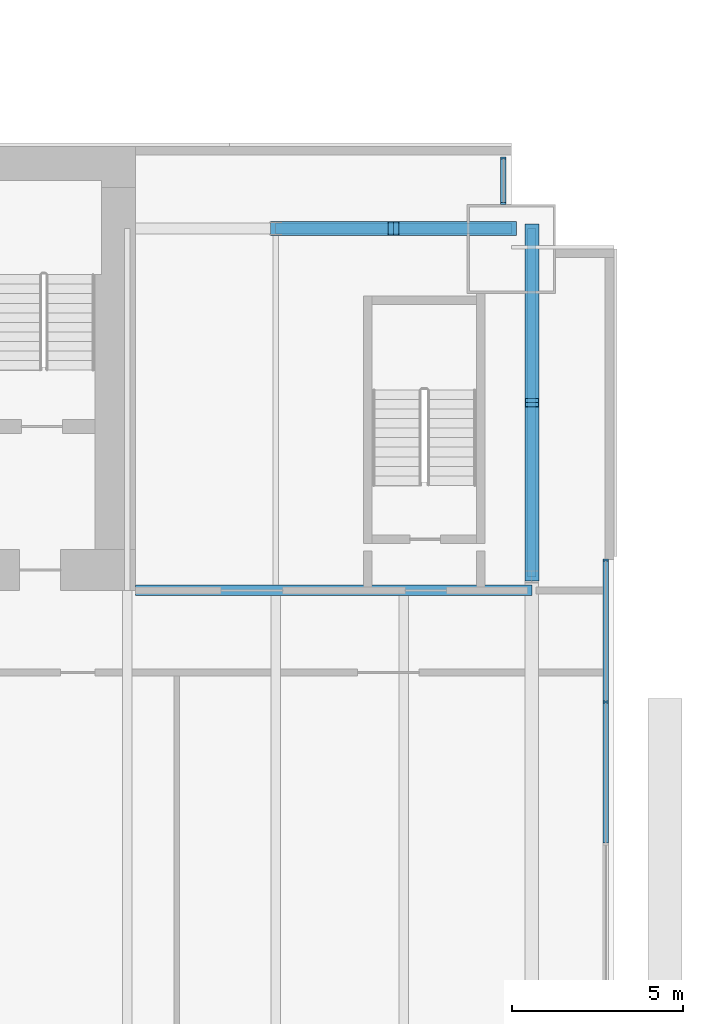
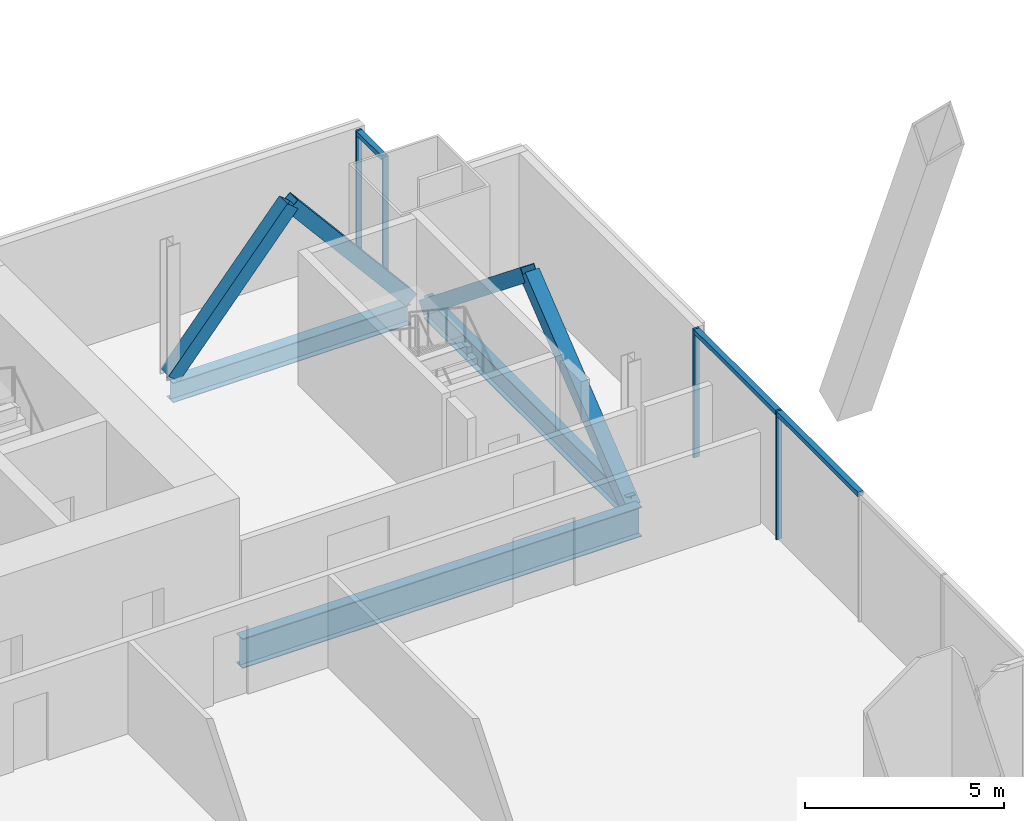
# One storey, part 16 of 24: 11 members, 3 beams, 2 elements without a shape of their own.
"""IFC4 building model written with IfcOpenShell, lengths in metres."""

from ifc_helpers import new_model, si_unit, direction, frame, origin, origin_2d, place, context, subcontext, project, spatial, rectangle, hollow_rectangle, i_section, extrude, material, material_profile, profile_set, type_object, element, aggregate, save


model = new_model("IFC4")

# Units and contexts
model_context = context("Model", 3, precision=1e-05, world=origin(), true_north=direction((0.0, 1.0)))
body_context = subcontext(model_context, "Body", "Model", "MODEL_VIEW")
ifc_project = project(units=[si_unit("LENGTHUNIT", "METRE"), si_unit("AREAUNIT", "SQUARE_METRE"), si_unit("VOLUMEUNIT", "CUBIC_METRE"), si_unit("PLANEANGLEUNIT", "RADIAN"), si_unit("MASSUNIT", "GRAM", prefix="KILO")], contexts=[model_context])

# Site, building, storey
site_placement = place(None, origin())
site = spatial("IfcSite", under=ifc_project, at=site_placement, CompositionType="ELEMENT")
building_placement = place(site_placement, origin())
building = spatial("IfcBuilding", under=site, at=building_placement, Name="Bicima Exchange Tower", CompositionType="ELEMENT")
storey_placement = place(building_placement, frame((0.0, 0.0, 211.39990234375)))
storey = spatial("IfcBuildingStorey", under=building, at=storey_placement, Name="L47", CompositionType="ELEMENT", Elevation=211.39990234375)

# Beam
ifc_material_1 = material(Name="Steel ASTM A992 Gr 50", Category="steel")
ifc_material_profile_1 = material_profile(ifc_material_1, i_section(OverallWidth=0.3046875, OverallDepth=0.911865234375, WebThickness=0.015869140625, FlangeThickness=0.02392578125, at=origin_2d()))
ifc_profile_set_1 = profile_set([ifc_material_profile_1], Name="Steel ASTM A992 Gr 50")
beam_type_1 = type_object("IfcBeamType", Name="Core-line girder W36x150", PredefinedType="BEAM", material=ifc_profile_set_1)
beam_1_placement = place(storey_placement, frame((22.0, -13.0, -0.605712890625), z_axis=(1.0, 0.0, 0.0), x_axis=(0.0, 1.0, 0.0)))
element("IfcBeam", 1, at=beam_1_placement, inside=storey, type_object=beam_type_1, Name="Core-line girder", PredefinedType="BEAM", context=body_context, shape_type="SweptSolid", body=[
    extrude(i_section(OverallWidth=0.3046875, OverallDepth=0.911865234375, WebThickness=0.015869140625, FlangeThickness=0.02392578125, at=origin_2d()), origin(), (0.0, 0.0, 1.0), 11.60009765625),
])

# Curtain wall, members
ifc_material_2 = material(Name="Anodised bronze aluminium", Category="aluminium")
curtain_wall_type_1 = type_object("IfcCurtainWallType", Name="End face glass wall", PredefinedType="NOTDEFINED", material=ifc_material_2)
curtain_wall_1_placement = place(storey_placement, origin())
curtain_wall_1 = element("IfcCurtainWall", 2, at=curtain_wall_1_placement, inside=storey, type_object=curtain_wall_type_1, Name="End face glass wall L47 run 19", PredefinedType="NOTDEFINED")
ifc_material_profile_2 = material_profile(ifc_material_2, rectangle(XDim=0.159912109375, YDim=0.06005859375, at=origin_2d()))
ifc_profile_set_2 = profile_set([ifc_material_profile_2], Name="Anodised bronze aluminium")
member_type_1 = type_object("IfcMemberType", Name="End face glass wall mullion 60 x 160", PredefinedType="MULLION", material=ifc_profile_set_2)
member_1_placement = place(storey_placement, frame((35.77001953125, -16.2666015625, 0.0), z_axis=(0.0, 0.0, 1.0), x_axis=(-1.0, 0.0, 0.0)))
member_1 = element("IfcMember", 3, at=member_1_placement, type_object=member_type_1, Name="End face glass wall mullion 4", PredefinedType="MULLION", context=body_context, shape_type="SweptSolid", body=[
    extrude(rectangle(XDim=0.159912109375, YDim=0.06005859375, at=origin_2d()), origin(), (0.0, 0.0, 1.0), 3.9501953125),
])
member_2_placement = place(storey_placement, frame((35.77001953125, -12.110107421875, 0.0), z_axis=(0.0, 0.0, 1.0), x_axis=(-1.0, 0.0, 0.0)))
member_2 = element("IfcMember", 4, at=member_2_placement, type_object=member_type_1, Name="End face glass wall mullion 5", PredefinedType="MULLION", context=body_context, shape_type="SweptSolid", body=[
    extrude(rectangle(XDim=0.159912109375, YDim=0.06005859375, at=origin_2d()), origin(), (0.0, 0.0, 1.0), 3.9501953125),
])
ifc_material_profile_3 = material_profile(ifc_material_2, rectangle(XDim=0.159912109375, YDim=0.139892578125, at=origin_2d()))
ifc_profile_set_3 = profile_set([ifc_material_profile_3], Name="Anodised bronze aluminium")
member_type_2 = type_object("IfcMemberType", Name="End face glass wall transom 140 x 160", PredefinedType="USERDEFINED", material=ifc_profile_set_3)
member_3_placement = place(storey_placement, frame((35.77001953125, -20.39306640625, 3.880126953125), z_axis=(0.0, 1.0, 0.0), x_axis=(-1.0, 0.0, 0.0)))
member_3 = element("IfcMember", 5, at=member_3_placement, type_object=member_type_2, Name="End face glass wall transom 3.1", ObjectType="TRANSOM", PredefinedType="USERDEFINED", context=body_context, shape_type="SweptSolid", body=[
    extrude(rectangle(XDim=0.159912109375, YDim=0.139892578125, at=origin_2d()), origin(), (0.0, 0.0, 1.0), 4.0966796875),
])
member_4_placement = place(storey_placement, frame((35.77001953125, -16.236572265625, 3.880126953125), z_axis=(0.0, 1.0, 0.0), x_axis=(-1.0, 0.0, 0.0)))
member_4 = element("IfcMember", 6, at=member_4_placement, type_object=member_type_2, Name="End face glass wall transom 4.1", ObjectType="TRANSOM", PredefinedType="USERDEFINED", context=body_context, shape_type="SweptSolid", body=[
    extrude(rectangle(XDim=0.159912109375, YDim=0.139892578125, at=origin_2d()), origin(), (0.0, 0.0, 1.0), 4.0966796875),
])
aggregate(curtain_wall_1, [member_1, member_2, member_3, member_4])

# Beam
ifc_material_profile_4 = material_profile(ifc_material_1, i_section(OverallWidth=0.256591796875, OverallDepth=0.693359375, WebThickness=0.014404296875, FlangeThickness=0.023681640625, at=origin_2d()))
ifc_profile_set_4 = profile_set([ifc_material_profile_4], Name="Steel ASTM A992 Gr 50")
beam_type_2 = type_object("IfcBeamType", Name="End girder W27x114", PredefinedType="BEAM", material=ifc_profile_set_4)
beam_2_placement = place(storey_placement, frame((33.60009765625, -2.39990234375, -0.49658203125), z_axis=(0.0, -1.0, 0.0), x_axis=(1.0, 0.0, 0.0)))
element("IfcBeam", 7, at=beam_2_placement, inside=storey, type_object=beam_type_2, Name="End girder", PredefinedType="BEAM", context=body_context, shape_type="SweptSolid", body=[
    extrude(i_section(OverallWidth=0.256591796875, OverallDepth=0.693359375, WebThickness=0.014404296875, FlangeThickness=0.023681640625, at=origin_2d()), origin(), (0.0, 0.0, 1.0), 10.2001953125),
])

# Curtain wall, members
curtain_wall_type_2 = type_object("IfcCurtainWallType", Name="Front glass wall", PredefinedType="NOTDEFINED", material=ifc_material_2)
curtain_wall_2_placement = place(storey_placement, origin())
curtain_wall_2 = element("IfcCurtainWall", 8, at=curtain_wall_2_placement, inside=storey, type_object=curtain_wall_type_2, Name="Front glass wall L47 run 20", PredefinedType="NOTDEFINED")
member_type_3 = type_object("IfcMemberType", Name="Front glass wall mullion 60 x 160", PredefinedType="MULLION", material=ifc_profile_set_2)
member_5_placement = place(storey_placement, frame((32.77001953125, -1.669921875, 0.0), z_axis=(0.0, 0.0, 1.0), x_axis=(-1.0, 0.0, 0.0)))
member_5 = element("IfcMember", 9, at=member_5_placement, type_object=member_type_3, Name="Front glass wall mullion 1", PredefinedType="MULLION", context=body_context, shape_type="SweptSolid", body=[
    extrude(rectangle(XDim=0.159912109375, YDim=0.06005859375, at=origin_2d()), origin(), (0.0, 0.0, 1.0), 3.9501953125),
])
member_6_placement = place(storey_placement, frame((32.77001953125, -0.340087890625, 0.0), z_axis=(0.0, 0.0, 1.0), x_axis=(-1.0, 0.0, 0.0)))
member_6 = element("IfcMember", 10, at=member_6_placement, type_object=member_type_3, Name="Front glass wall mullion 2", PredefinedType="MULLION", context=body_context, shape_type="SweptSolid", body=[
    extrude(rectangle(XDim=0.159912109375, YDim=0.06005859375, at=origin_2d()), origin(), (0.0, 0.0, 1.0), 3.9501953125),
])
member_type_4 = type_object("IfcMemberType", Name="Front glass wall transom 140 x 160", PredefinedType="USERDEFINED", material=ifc_profile_set_3)
member_7_placement = place(storey_placement, frame((32.77001953125, -1.639892578125, 3.880126953125), z_axis=(0.0, 1.0, 0.0), x_axis=(-1.0, 0.0, 0.0)))
member_7 = element("IfcMember", 11, at=member_7_placement, type_object=member_type_4, Name="Front glass wall transom 1.1", ObjectType="TRANSOM", PredefinedType="USERDEFINED", context=body_context, shape_type="SweptSolid", body=[
    extrude(rectangle(XDim=0.159912109375, YDim=0.139892578125, at=origin_2d()), origin(), (0.0, 0.0, 1.0), 1.269775390625),
])
aggregate(curtain_wall_2, [member_5, member_6, member_7])

# Members
ifc_material_3 = material(Name="Steel ASTM A572 Gr 50", Category="steel")
ifc_material_profile_5 = material_profile(ifc_material_3, hollow_rectangle(XDim=0.406494140625, YDim=0.406494140625, WallThickness=0.0146484375, at=origin_2d()))
ifc_profile_set_5 = profile_set([ifc_material_profile_5], Name="Steel ASTM A572 Gr 50")
member_type_5 = type_object("IfcMemberType", Name="Mega brace HSS16x16x5/8", PredefinedType="BRACE", material=ifc_profile_set_5)
for number, where, z_axis, x_axis, name in (
    (12, (26.10009765625, -2.39990234375, 0.0), (0.643834042494, 0.0, 0.765165162384), (0.0, 1.0, 0.0), "Mega brace rear"),
    (13, (33.0, -2.39990234375, 0.0), (-0.643834042494, 0.0, 0.765165162384), (0.0, -1.0, 0.0), "Mega brace rear"),
):
    element("IfcMember", number, at=place(storey_placement, frame(where, z_axis=z_axis, x_axis=x_axis)), inside=storey, type_object=member_type_5, Name=name, PredefinedType="BRACE", context=body_context, shape_type="SweptSolid", body=[
        extrude(hollow_rectangle(XDim=0.406494140625, YDim=0.406494140625, WallThickness=0.0146484375, at=origin_2d()), origin(), (0.0, 0.0, 1.0), 5.3583984375),
    ])
for number, where, z_axis, x_axis, name in (
    (14, (33.60009765625, -2.39990234375, -0.49658203125), (0.0, -0.779374241895, 0.626558689247), (1.0, 0.0, 0.0), "Mega brace east end"),
    (15, (33.60009765625, -12.60009765625, -0.49658203125), (0.0, 0.779374241895, 0.626558689247), (-1.0, 0.0, 0.0), "Mega brace east end"),
):
    element("IfcMember", number, at=place(storey_placement, frame(where, z_axis=z_axis, x_axis=x_axis)), inside=storey, type_object=member_type_5, Name=name, PredefinedType="BRACE", context=body_context, shape_type="SweptSolid", body=[
        extrude(hollow_rectangle(XDim=0.406494140625, YDim=0.406494140625, WallThickness=0.0146484375, at=origin_2d()), origin(), (0.0, 0.0, 1.0), 6.5439453125),
    ])

# Beam
ifc_material_profile_6 = material_profile(ifc_material_1, i_section(OverallWidth=0.3251953125, OverallDepth=0.612060546875, WebThickness=0.0126953125, FlangeThickness=0.01904296875, at=origin_2d()))
ifc_profile_set_6 = profile_set([ifc_material_profile_6], Name="Steel ASTM A992 Gr 50")
beam_type_3 = type_object("IfcBeamType", Name="Rear girder W24x104", PredefinedType="BEAM", material=ifc_profile_set_6)
beam_3_placement = place(storey_placement, frame((26.10009765625, -2.39990234375, -0.4560546875), z_axis=(1.0, 0.0, 0.0), x_axis=(0.0, 1.0, 0.0)))
element("IfcBeam", 16, at=beam_3_placement, inside=storey, type_object=beam_type_3, Name="Rear girder", PredefinedType="BEAM", context=body_context, shape_type="SweptSolid", body=[
    extrude(i_section(OverallWidth=0.3251953125, OverallDepth=0.612060546875, WebThickness=0.0126953125, FlangeThickness=0.01904296875, at=origin_2d()), origin(), (0.0, 0.0, 1.0), 6.89990234375),
])

save(model, "model.ifc")
